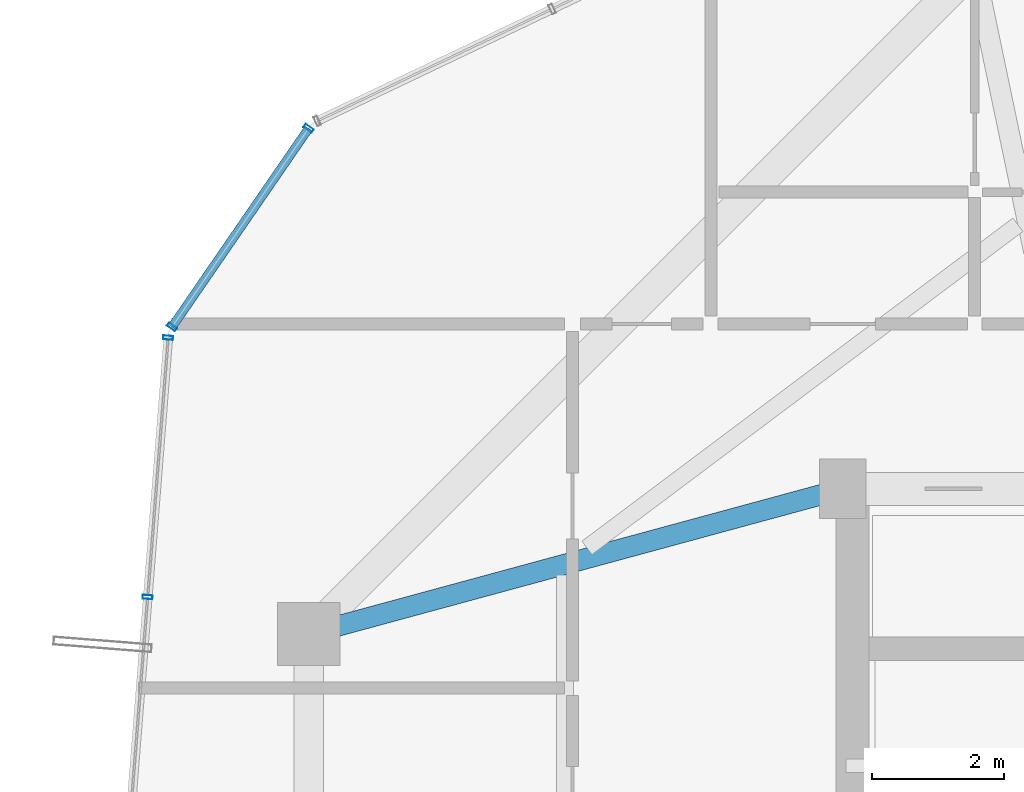
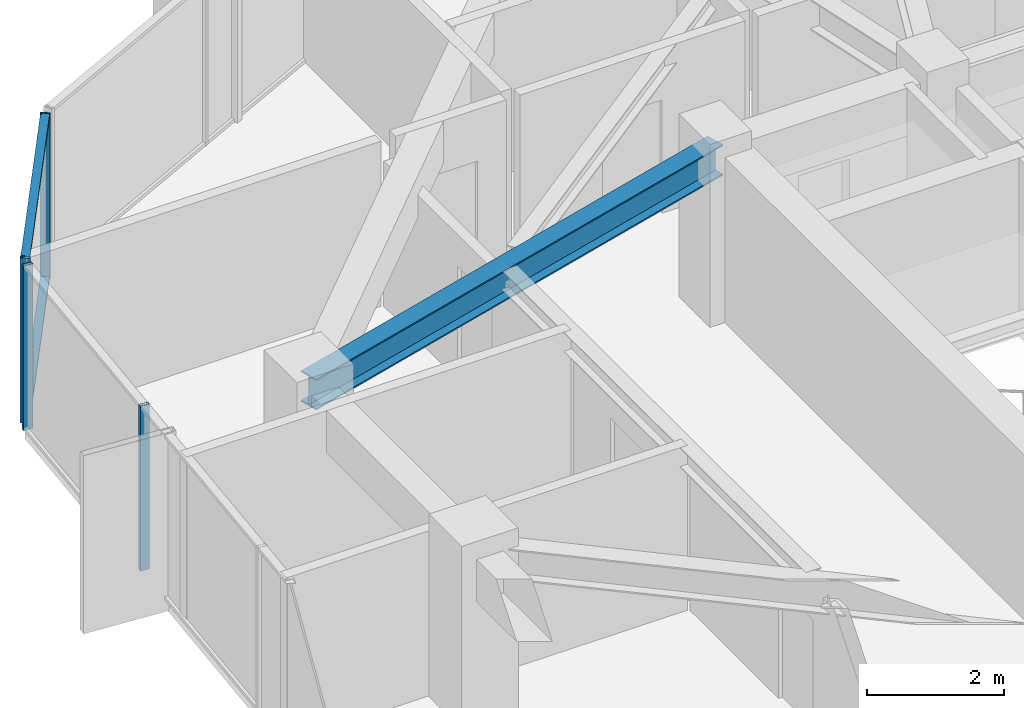
# One storey, part 12 of 29: 6 members, 1 beam, 2 elements without a shape of their own.
"""IFC4 building model written with IfcOpenShell, lengths in metres."""

from ifc_helpers import new_model, si_unit, direction, frame, origin, origin_2d, place, context, subcontext, project, spatial, hollow_rectangle, i_section, extrude, source, transform, mapped, material, layer, layer_set, material_profile, profile_set, type_object, element, aggregate, save


model = new_model("IFC4")

# Units and contexts
model_context = context("Model", 3, precision=1e-05, world=origin(), true_north=direction((0.0, 1.0)))
body_context = subcontext(model_context, "Body", "Model", "MODEL_VIEW")
ifc_project = project(units=[si_unit("LENGTHUNIT", "METRE"), si_unit("AREAUNIT", "SQUARE_METRE"), si_unit("VOLUMEUNIT", "CUBIC_METRE"), si_unit("PLANEANGLEUNIT", "RADIAN"), si_unit("MASSUNIT", "GRAM", prefix="KILO")], contexts=[model_context])

# Site, building, storey
site_placement = place(None, origin())
site = spatial("IfcSite", under=ifc_project, at=site_placement, CompositionType="ELEMENT")
building_placement = place(site_placement, origin())
building = spatial("IfcBuilding", under=site, at=building_placement, Name="Veraguas Prism Commons", CompositionType="ELEMENT")
storey_placement = place(building_placement, frame((0.0, 0.0, 222.14990234375)))
storey = spatial("IfcBuildingStorey", under=building, at=storey_placement, Name="L63", CompositionType="ELEMENT", Elevation=222.14990234375)

# Beam
ifc_material_1 = material(Name="Steel ASTM A992 Grade 50", Category="steel")
ifc_material_profile_1 = material_profile(ifc_material_1, i_section(OverallWidth=0.31103515625, OverallDepth=0.5458984375, WebThickness=0.0146484375, FlangeThickness=0.023681640625, at=origin_2d()), Name="W530X165")
ifc_profile_set_1 = profile_set([ifc_material_profile_1], Name="Steel ASTM A992 Grade 50")
beam_type = type_object("IfcBeamType", Name="Zone 3 Radial Girder W530x165", PredefinedType="BEAM", material=ifc_profile_set_1)
beam_placement = place(storey_placement, frame((9.10009765625, 28.800048828125, 2.656982421875), z_axis=(0.965038506703, 0.262108146725, 0.0), x_axis=(-0.262108146725, 0.965038506703, 0.0)))
element("IfcBeam", 1, at=beam_placement, inside=storey, type_object=beam_type, Name="Radial Floor Girder L63-RD07", PredefinedType="BEAM", context=body_context, shape_type="SweptSolid", body=[
    extrude(i_section(OverallWidth=0.31103515625, OverallDepth=0.5458984375, WebThickness=0.0146484375, FlangeThickness=0.023681640625, at=origin_2d()), origin(), (0.0, 0.0, 1.0), 8.393310546875),
])

# Curtain wall, members
ifc_material_2 = material(Name="Anodised aluminium EN AW-6063 T6", Category="aluminium")
ifc_layer = layer(ifc_material_2, 0.14990234375, Name="Unitised Flush Curtain Wall Zone 3", Category="aluminium")
ifc_layer_set = layer_set([ifc_layer], Name="Anodised aluminium EN AW-6063 T6")
curtain_wall_type = type_object("IfcCurtainWallType", Name="Unitised Flush Curtain Wall Zone 3", PredefinedType="NOTDEFINED", material=ifc_layer_set)
curtain_wall_1_placement = place(storey_placement, origin())
curtain_wall_1 = element("IfcCurtainWall", 2, at=curtain_wall_1_placement, inside=storey, type_object=curtain_wall_type, Name="Chamfer Curtain Wall L63-C3", PredefinedType="NOTDEFINED")
ifc_material_profile_2 = material_profile(ifc_material_2, hollow_rectangle(XDim=0.054931640625, YDim=0.135009765625, WallThickness=0.0029296875, at=origin_2d()), Name="AL55X135X3")
ifc_profile_set_2 = profile_set([ifc_material_profile_2], Name="Anodised aluminium EN AW-6063 T6")
member_type_1 = type_object("IfcMemberType", Name="Curtain Wall Transom Standard AL 55x135x3", PredefinedType="USERDEFINED", material=ifc_profile_set_2)
shared_shape_1 = source(origin(), body_context, "Body", "SweptSolid", [
    extrude(hollow_rectangle(XDim=0.054931640625, YDim=0.135009765625, WallThickness=0.0029296875, at=origin_2d()), origin(), (0.0, 0.0, 1.0), 3.654541015625),
])
member_1_placement = place(storey_placement, frame((9.09814453125, 36.467041015625, 0.027587890625), z_axis=(-0.566713100418, -0.823915203048, 0.0), x_axis=(0.0, 0.0, 1.0)))
member_1 = element("IfcMember", 3, at=member_1_placement, type_object=member_type_1, Name="CW-Z3 Transom 1", ObjectType="TRANSOM", PredefinedType="USERDEFINED", context=body_context, shape_type="MappedRepresentation", body=[
    mapped(shared_shape_1, transform((0.0, 0.0, 0.0), scale=1.0)),
])
member_2_placement = place(storey_placement, frame((9.09814453125, 36.467041015625, 2.902587890625), z_axis=(-0.566713100418, -0.823915203048, 0.0), x_axis=(0.0, 0.0, 1.0)))
member_2 = element("IfcMember", 4, at=member_2_placement, type_object=member_type_1, Name="CW-Z3 Transom 2", ObjectType="TRANSOM", PredefinedType="USERDEFINED", context=body_context, shape_type="MappedRepresentation", body=[
    mapped(shared_shape_1, transform((0.0, 0.0, 0.0), scale=1.0)),
])

curtain_wall_2_placement = place(storey_placement, origin())
curtain_wall_2 = element("IfcCurtainWall", 5, at=curtain_wall_2_placement, inside=storey, type_object=curtain_wall_type, Name="Tower Facade Curtain Wall L63-F3", PredefinedType="NOTDEFINED")
ifc_material_profile_3 = material_profile(ifc_material_2, hollow_rectangle(XDim=0.06005859375, YDim=0.14990234375, WallThickness=0.0029296875, at=origin_2d()), Name="AL60X150X3")
ifc_profile_set_3 = profile_set([ifc_material_profile_3], Name="Anodised aluminium EN AW-6063 T6")
member_type_2 = type_object("IfcMemberType", Name="Curtain Wall Mullion Upper AL 60x150x3", PredefinedType="MULLION", material=ifc_profile_set_3)
shared_shape_2 = source(origin(), body_context, "Body", "SweptSolid", [
    extrude(hollow_rectangle(XDim=0.06005859375, YDim=0.14990234375, WallThickness=0.0029296875, at=origin_2d()), origin(), (0.0, 0.0, 1.0), 2.93017578125),
])
member_3_placement = place(storey_placement, frame((6.96923828125, 33.292236328125, 0.0), z_axis=(0.0, 0.0, 1.0), x_axis=(-0.07881230044, -0.99688947296, 0.0)))
member_3 = element("IfcMember", 6, at=member_3_placement, type_object=member_type_2, Name="CW-Z3 Mullion 1", PredefinedType="MULLION", context=body_context, shape_type="MappedRepresentation", body=[
    mapped(shared_shape_2, transform((0.0, 0.0, 0.0), scale=1.0)),
])
member_4_placement = place(storey_placement, frame((6.658203125, 29.35888671875, 0.0), z_axis=(0.0, 0.0, 1.0), x_axis=(-0.07881230044, -0.99688947296, 0.0)))
member_4 = element("IfcMember", 7, at=member_4_placement, type_object=member_type_2, Name="CW-Z3 Mullion 2", PredefinedType="MULLION", context=body_context, shape_type="MappedRepresentation", body=[
    mapped(shared_shape_2, transform((0.0, 0.0, 0.0), scale=1.0)),
])
aggregate(curtain_wall_2, [member_3, member_4])

# Member
member_5_placement = place(storey_placement, frame((9.09814453125, 36.467041015625, 0.0), z_axis=(0.0, 0.0, 1.0), x_axis=(-0.566688124601, -0.823932381592, 0.0)))
member_5 = element("IfcMember", 8, at=member_5_placement, type_object=member_type_2, Name="CW-Z3 Mullion 1", PredefinedType="MULLION", context=body_context, shape_type="MappedRepresentation", body=[
    mapped(shared_shape_2, transform((0.0, 0.0, 0.0), scale=1.0)),
])

member_6_placement = place(storey_placement, frame((7.027099609375, 33.4560546875, 0.0), z_axis=(0.0, 0.0, 1.0), x_axis=(-0.566688124601, -0.823932381592, 0.0)))
member_6 = element("IfcMember", 9, at=member_6_placement, type_object=member_type_2, Name="CW-Z3 Mullion 2", PredefinedType="MULLION", context=body_context, shape_type="MappedRepresentation", body=[
    mapped(shared_shape_2, transform((0.0, 0.0, 0.0), scale=1.0)),
])

aggregate(curtain_wall_1, [member_5, member_6, member_1, member_2])

save(model, "model.ifc")
